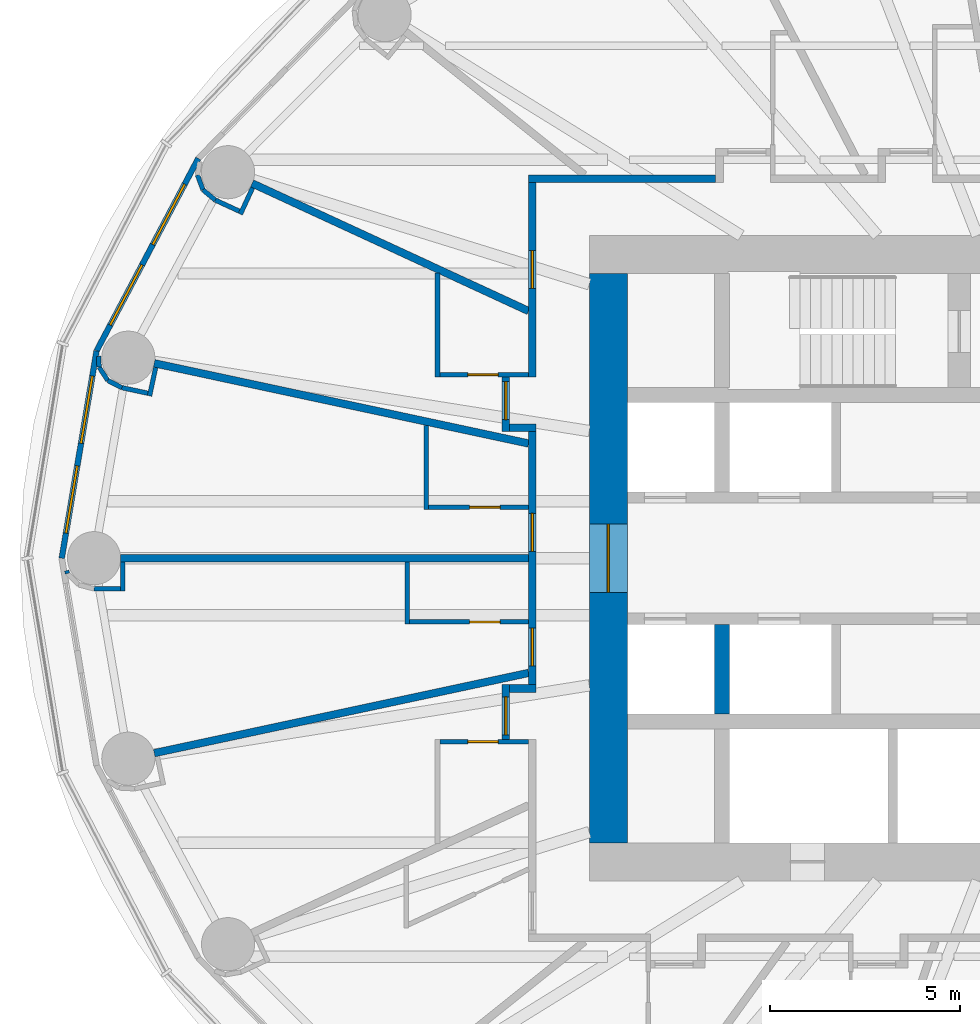
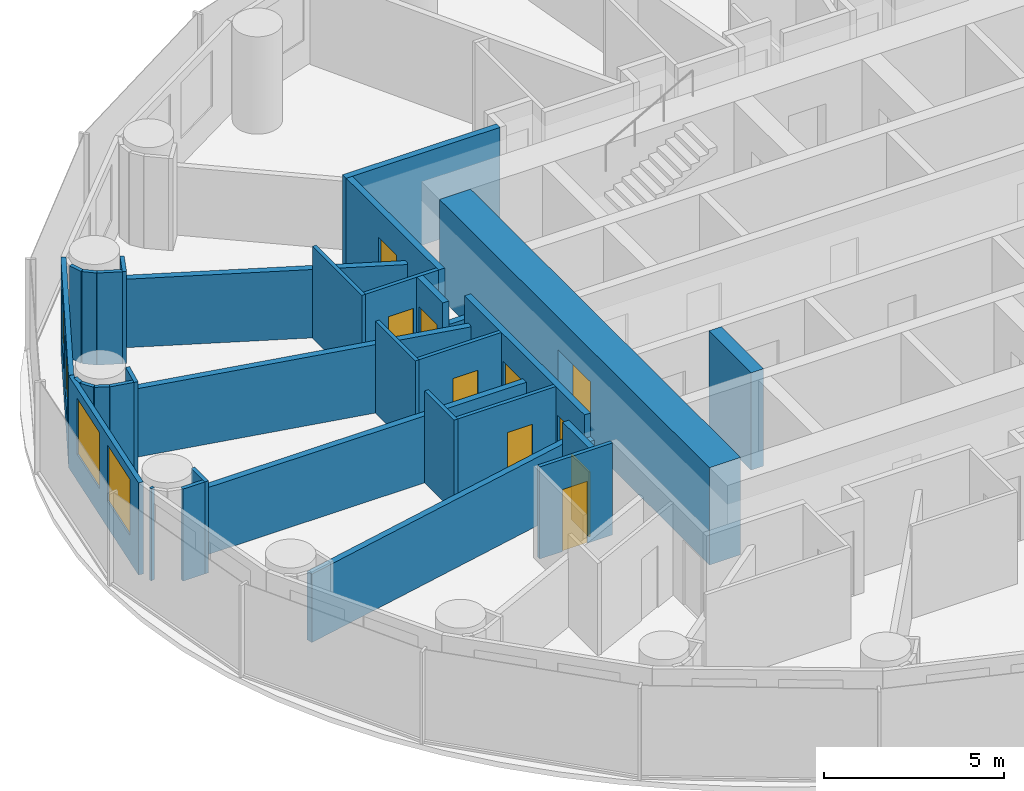
# One storey, part 8 of 14: 34 walls, 10 doors, 4 windows, 14 openings.
"""IFC4 building model written with IfcOpenShell, lengths in metres."""

from ifc_helpers import new_model, si_unit, direction, frame, frame_2d, origin, place, context, subcontext, project, spatial, rectangle, extrude, material, layer, layer_set, type_object, element, fill, save


model = new_model("IFC4")

# Units and contexts
model_context = context("Model", 3, precision=1e-05, world=origin(), true_north=direction((0.0, 1.0)))
body_context = subcontext(model_context, "Body", "Model", "MODEL_VIEW")
ifc_project = project(units=[si_unit("LENGTHUNIT", "METRE"), si_unit("AREAUNIT", "SQUARE_METRE"), si_unit("VOLUMEUNIT", "CUBIC_METRE"), si_unit("PLANEANGLEUNIT", "RADIAN"), si_unit("MASSUNIT", "GRAM", prefix="KILO")], contexts=[model_context])

# Site, building, storey
site_placement = place(None, origin())
site = spatial("IfcSite", under=ifc_project, at=site_placement, CompositionType="ELEMENT")
building_placement = place(site_placement, origin())
building = spatial("IfcBuilding", under=site, at=building_placement, Name="Hankou Lantern Tower", CompositionType="ELEMENT")
storey_placement = place(building_placement, frame((0.0, 0.0, 50.699951171875)))
storey = spatial("IfcBuildingStorey", under=building, at=storey_placement, Name="L11", CompositionType="ELEMENT", Elevation=50.699951171875)

# Wall, opening, door
ifc_material_1 = material(Name="Concrete C60", Category="concrete")
ifc_layer_1 = layer(ifc_material_1, 1.0)
ifc_layer_set_1 = layer_set([ifc_layer_1], Name="Concrete C60")
wall_type_1 = type_object("IfcWallType", Name="CW1 CORE WALL 1000", PredefinedType="SHEAR", material=ifc_layer_set_1)
wall_1_placement = place(storey_placement, frame((-12.0, 7.5, 0.0), z_axis=(0.0, 0.0, 1.0), x_axis=(0.0, -1.0, 0.0)))
wall_1 = element("IfcWall", 1, at=wall_1_placement, inside=storey, type_object=wall_type_1, Name="Core wall west L11", PredefinedType="SHEAR", context=body_context, shape_type="SweptSolid", body=[
    extrude(rectangle(XDim=15.0, YDim=1.0, at=frame_2d((7.5, 0.0))), origin(), (0.0, 0.0, 1.0), 3.300048828125),
])
opening_1_placement = place(wall_1_placement, frame((6.60009765625, 0.0, 0.0)))
opening_1 = element("IfcOpeningElement", 2, at=opening_1_placement, cuts=wall_1, Name="Opening D6", PredefinedType="OPENING", context=body_context, shape_type="SweptSolid", body=[
    extrude(rectangle(XDim=1.800048828125, YDim=2.199951171875, at=frame_2d((0.89990234375, 1.10009765625))), frame((0.0, 0.510009765625, 0.0), z_axis=(0.0, -1.0, 0.0), x_axis=(1.0, 0.0, 0.0)), (0.0, 0.0, 1.0), 1.02001953125),
])
ifc_material_2 = material(Name="Steel door leaf", Category="steel")
door_type_1 = type_object("IfcDoorType", Name="D6 LIFT LOBBY DOOR 1800X2200", OperationType="DOUBLE_DOOR_DOUBLE_SWING", PredefinedType="DOOR", material=ifc_material_2)
door_1_placement = place(opening_1_placement, origin())
door_1 = element("IfcDoor", 3, at=door_1_placement, inside=storey, type_object=door_type_1, Name="Lift lobby west door", OperationType="DOUBLE_DOOR_DOUBLE_SWING", OverallHeight=2.199951171875, OverallWidth=1.800048828125, PredefinedType="DOOR", context=body_context, shape_type="SweptSolid", body=[
    extrude(rectangle(XDim=1.800048828125, YDim=2.199951171875, at=frame_2d((0.89990234375, 1.10009765625))), frame((0.0, 0.02490234375, 0.0), z_axis=(0.0, -1.0, 0.0), x_axis=(1.0, 0.0, 0.0)), (0.0, 0.0, 1.0), 0.050048828125),
])
fill(opening_1, door_1)

# Wall
ifc_material_3 = material(Name="Concrete C60", Category="concrete")
ifc_layer_2 = layer(ifc_material_3, 0.39990234375)
ifc_layer_set_2 = layer_set([ifc_layer_2], Name="Concrete C60")
wall_type_2 = type_object("IfcWallType", Name="CW4 CORE CROSS WALL 400", PredefinedType="SHEAR", material=ifc_layer_set_2)
wall_2_placement = place(storey_placement, frame((-9.0, -4.10009765625, 0.0), z_axis=(0.0, 0.0, 1.0), x_axis=(0.0, 1.0, 0.0)))
element("IfcWall", 4, at=wall_2_placement, inside=storey, type_object=wall_type_2, Name="Core strip wall L11", PredefinedType="SHEAR", context=body_context, shape_type="SweptSolid", body=[
    extrude(rectangle(XDim=2.35009765625, YDim=0.39990234375, at=frame_2d((1.175048828125, 0.0))), origin(), (0.0, 0.0, 1.0), 3.300048828125),
])

# Wall, openings, windows
ifc_material_4 = material(Name="Aluminium spandrel panel on steel studs", Category="steel")
ifc_layer_3 = layer(ifc_material_4, 0.14990234375)
ifc_layer_set_3 = layer_set([ifc_layer_3], Name="Aluminium spandrel panel on steel studs")
wall_type_3 = type_object("IfcWallType", Name="EW1 INNER SKIN WALL 150", PredefinedType="ELEMENTEDWALL", material=ifc_layer_set_3)
wall_3_placement = place(storey_placement, frame((-22.802734375, 10.5322265625, 0.0), z_axis=(0.0, 0.0, 1.0), x_axis=(-0.467296867008, -0.884100468321, 0.0)))
wall_3 = element("IfcWall", 5, at=wall_3_placement, inside=storey, type_object=wall_type_3, Name="Inner skin R11-R12 L11", PredefinedType="ELEMENTEDWALL", context=body_context, shape_type="SweptSolid", body=[
    extrude(rectangle(XDim=5.734375, YDim=0.14990234375, at=frame_2d((2.8671875, 0.0))), origin(), (0.0, 0.0, 1.0), 3.1201171875),
])
opening_2_placement = place(wall_3_placement, frame((0.76708984375, 0.0, 0.89990234375)))
opening_2 = element("IfcOpeningElement", 6, at=opening_2_placement, cuts=wall_3, Name="Opening W1", PredefinedType="OPENING", context=body_context, shape_type="SweptSolid", body=[
    extrude(rectangle(XDim=1.800048828125, YDim=1.89990234375, at=frame_2d((0.89990234375, 0.949951171875))), frame((0.0, 0.0849609375, 0.0), z_axis=(0.0, -1.0, 0.0), x_axis=(1.0, 0.0, 0.0)), (0.0, 0.0, 1.0), 0.169921875),
])
opening_3_placement = place(wall_3_placement, frame((3.167236328125, 0.0, 0.89990234375)))
opening_3 = element("IfcOpeningElement", 7, at=opening_3_placement, cuts=wall_3, Name="Opening W1", PredefinedType="OPENING", context=body_context, shape_type="SweptSolid", body=[
    extrude(rectangle(XDim=1.800048828125, YDim=1.89990234375, at=frame_2d((0.89990234375, 0.949951171875))), frame((0.0, 0.0849609375, 0.0), z_axis=(0.0, -1.0, 0.0), x_axis=(1.0, 0.0, 0.0)), (0.0, 0.0, 1.0), 0.169921875),
])
ifc_material_5 = material(Name="Aluminium framed double glazed window", Category="aluminium")
window_type = type_object("IfcWindowType", Name="W1 GUEST ROOM WINDOW 1800X1900", PartitioningType="DOUBLE_PANEL_VERTICAL", PredefinedType="WINDOW", material=ifc_material_5)
window_1_placement = place(opening_2_placement, origin())
window_1 = element("IfcWindow", 8, at=window_1_placement, inside=storey, type_object=window_type, Name="Window R11.1 L11", OverallHeight=1.89990234375, OverallWidth=1.800048828125, PartitioningType="SINGLE_PANEL", PredefinedType="WINDOW", context=body_context, shape_type="SweptSolid", body=[
    extrude(rectangle(XDim=1.800048828125, YDim=1.89990234375, at=frame_2d((0.89990234375, 0.949951171875))), frame((0.0, 0.030029296875, 0.0), z_axis=(0.0, -1.0, 0.0), x_axis=(1.0, 0.0, 0.0)), (0.0, 0.0, 1.0), 0.06005859375),
])
fill(opening_2, window_1)
window_2_placement = place(opening_3_placement, origin())
window_2 = element("IfcWindow", 9, at=window_2_placement, inside=storey, type_object=window_type, Name="Window R11.2 L11", OverallHeight=1.89990234375, OverallWidth=1.800048828125, PartitioningType="SINGLE_PANEL", PredefinedType="WINDOW", context=body_context, shape_type="SweptSolid", body=[
    extrude(rectangle(XDim=1.800048828125, YDim=1.89990234375, at=frame_2d((0.89990234375, 0.949951171875))), frame((0.0, 0.030029296875, 0.0), z_axis=(0.0, -1.0, 0.0), x_axis=(1.0, 0.0, 0.0)), (0.0, 0.0, 1.0), 0.06005859375),
])
fill(opening_3, window_2)

wall_4_placement = place(storey_placement, frame((-25.482421875, 5.46240234375, 0.0), z_axis=(0.0, 0.0, 1.0), x_axis=(-0.165642551694, -0.986185857264, 0.0)))
wall_4 = element("IfcWall", 10, at=wall_4_placement, inside=storey, type_object=wall_type_3, Name="Inner skin R12-R13 L11", PredefinedType="ELEMENTEDWALL", context=body_context, shape_type="SweptSolid", body=[
    extrude(rectangle(XDim=5.538818359375, YDim=0.14990234375, at=frame_2d((2.76953125, 0.0))), origin(), (0.0, 0.0, 1.0), 3.1201171875),
])
opening_4_placement = place(wall_4_placement, frame((0.66943359375, 0.0, 0.89990234375)))
opening_4 = element("IfcOpeningElement", 11, at=opening_4_placement, cuts=wall_4, Name="Opening W1", PredefinedType="OPENING", context=body_context, shape_type="SweptSolid", body=[
    extrude(rectangle(XDim=1.800048828125, YDim=1.89990234375, at=frame_2d((0.89990234375, 0.949951171875))), frame((0.0, 0.0849609375, 0.0), z_axis=(0.0, -1.0, 0.0), x_axis=(1.0, 0.0, 0.0)), (0.0, 0.0, 1.0), 0.169921875),
])
opening_5_placement = place(wall_4_placement, frame((3.069580078125, 0.0, 0.89990234375)))
opening_5 = element("IfcOpeningElement", 12, at=opening_5_placement, cuts=wall_4, Name="Opening W1", PredefinedType="OPENING", context=body_context, shape_type="SweptSolid", body=[
    extrude(rectangle(XDim=1.800048828125, YDim=1.89990234375, at=frame_2d((0.89990234375, 0.949951171875))), frame((0.0, 0.0849609375, 0.0), z_axis=(0.0, -1.0, 0.0), x_axis=(1.0, 0.0, 0.0)), (0.0, 0.0, 1.0), 0.169921875),
])
window_3_placement = place(opening_4_placement, origin())
window_3 = element("IfcWindow", 13, at=window_3_placement, inside=storey, type_object=window_type, Name="Window R12.1 L11", OverallHeight=1.89990234375, OverallWidth=1.800048828125, PartitioningType="SINGLE_PANEL", PredefinedType="WINDOW", context=body_context, shape_type="SweptSolid", body=[
    extrude(rectangle(XDim=1.800048828125, YDim=1.89990234375, at=frame_2d((0.89990234375, 0.949951171875))), frame((0.0, 0.030029296875, 0.0), z_axis=(0.0, -1.0, 0.0), x_axis=(1.0, 0.0, 0.0)), (0.0, 0.0, 1.0), 0.06005859375),
])
fill(opening_4, window_3)
window_4_placement = place(opening_5_placement, origin())
window_4 = element("IfcWindow", 14, at=window_4_placement, inside=storey, type_object=window_type, Name="Window R12.2 L11", OverallHeight=1.89990234375, OverallWidth=1.800048828125, PartitioningType="SINGLE_PANEL", PredefinedType="WINDOW", context=body_context, shape_type="SweptSolid", body=[
    extrude(rectangle(XDim=1.800048828125, YDim=1.89990234375, at=frame_2d((0.89990234375, 0.949951171875))), frame((0.0, 0.030029296875, 0.0), z_axis=(0.0, -1.0, 0.0), x_axis=(1.0, 0.0, 0.0)), (0.0, 0.0, 1.0), 0.06005859375),
])
fill(opening_5, window_4)

# Walls
ifc_material_6 = material(Name="Masonry lightweight concrete block", Category="masonry")
ifc_layer_4 = layer(ifc_material_6, 0.199951171875)
ifc_layer_set_4 = layer_set([ifc_layer_4], Name="Masonry lightweight concrete block")
wall_type_4 = type_object("IfcWallType", Name="IW1 GUEST ROOM PARTY WALL 200", PredefinedType="PARTITIONING", material=ifc_layer_set_4)
wall_5_placement = place(storey_placement, frame((-14.10009765625, 3.0224609375, 0.0), z_axis=(0.0, 0.0, 1.0), x_axis=(-0.977790014929, 0.209586943072, 0.0)))
element("IfcWall", 15, at=wall_5_placement, inside=storey, type_object=wall_type_4, Name="Party wall R12", PredefinedType="PARTITIONING", context=body_context, shape_type="SweptSolid", body=[
    extrude(rectangle(XDim=10.086669921875, YDim=0.199951171875, at=frame_2d((5.04345703125, 0.0))), origin(), (0.0, 0.0, 1.0), 2.320068359375),
])
wall_6_placement = place(storey_placement, frame((-14.10009765625, 0.0, 0.0), z_axis=(0.0, 0.0, 1.0), x_axis=(-1.0, 0.0, 0.0)))
element("IfcWall", 16, at=wall_6_placement, inside=storey, type_object=wall_type_4, Name="Party wall R13", PredefinedType="PARTITIONING", context=body_context, shape_type="SweptSolid", body=[
    extrude(rectangle(XDim=10.75, YDim=0.199951171875, at=frame_2d((5.375, 0.0))), origin(), (0.0, 0.0, 1.0), 2.27001953125),
])
wall_7_placement = place(storey_placement, frame((-14.10009765625, -3.0224609375, 0.0), z_axis=(0.0, 0.0, 1.0), x_axis=(-0.977790014929, -0.209586943072, 0.0)))
element("IfcWall", 17, at=wall_7_placement, inside=storey, type_object=wall_type_4, Name="Party wall R14", PredefinedType="PARTITIONING", context=body_context, shape_type="SweptSolid", body=[
    extrude(rectangle(XDim=10.086669921875, YDim=0.199951171875, at=frame_2d((5.04345703125, 0.0))), origin(), (0.0, 0.0, 1.0), 2.320068359375),
])

# Wall, opening, door
ifc_material_7 = material(Name="Masonry lightweight concrete block", Category="masonry")
ifc_layer_5 = layer(ifc_material_7, 0.199951171875)
ifc_layer_set_5 = layer_set([ifc_layer_5], Name="Masonry lightweight concrete block")
wall_type_5 = type_object("IfcWallType", Name="IW2 CORRIDOR WALL 200", PredefinedType="PARTITIONING", material=ifc_layer_set_5)
wall_8_placement = place(storey_placement, frame((-14.699951171875, 4.7724609375, 0.0), z_axis=(0.0, 0.0, 1.0), x_axis=(0.0, -1.0, 0.0)))
wall_8 = element("IfcWall", 18, at=wall_8_placement, inside=storey, type_object=wall_type_5, Name="Corridor recess wall 1107 back", PredefinedType="PARTITIONING", context=body_context, shape_type="SweptSolid", body=[
    extrude(rectangle(XDim=1.43994140625, YDim=0.199951171875, at=frame_2d((0.719970703125, 0.0))), origin(), (0.0, 0.0, 1.0), 3.1201171875),
])
opening_6_placement = place(wall_8_placement, frame((0.1201171875, 0.0, 0.0)))
opening_6 = element("IfcOpeningElement", 19, at=opening_6_placement, cuts=wall_8, Name="Opening D1", PredefinedType="OPENING", context=body_context, shape_type="SweptSolid", body=[
    extrude(rectangle(XDim=1.0, YDim=2.199951171875, at=frame_2d((0.5, 1.10009765625))), frame((0.0, 0.10986328125, 0.0), z_axis=(0.0, -1.0, 0.0), x_axis=(1.0, 0.0, 0.0)), (0.0, 0.0, 1.0), 0.219970703125),
])
ifc_material_8 = material(Name="Steel door leaf", Category="steel")
door_type_2 = type_object("IfcDoorType", Name="D1 GUEST ROOM DOOR 1000X2200", OperationType="SINGLE_SWING_LEFT", PredefinedType="DOOR", material=ifc_material_8)
door_2_placement = place(opening_6_placement, origin())
door_2 = element("IfcDoor", 20, at=door_2_placement, inside=storey, type_object=door_type_2, Name="Guest room door 1107", OperationType="SINGLE_SWING_LEFT", OverallHeight=2.199951171875, OverallWidth=1.0, PredefinedType="DOOR", context=body_context, shape_type="SweptSolid", body=[
    extrude(rectangle(XDim=1.0, YDim=2.199951171875, at=frame_2d((0.5, 1.10009765625))), frame((0.0, 0.02490234375, 0.0), z_axis=(0.0, -1.0, 0.0), x_axis=(1.0, 0.0, 0.0)), (0.0, 0.0, 1.0), 0.050048828125),
])
fill(opening_6, door_2)

# Wall
wall_9_placement = place(storey_placement, frame((-13.89990234375, 3.4326171875, 0.0), z_axis=(0.0, 0.0, 1.0), x_axis=(-1.0, 0.0, 0.0)))
element("IfcWall", 21, at=wall_9_placement, inside=storey, type_object=wall_type_5, Name="Corridor recess wall 1107 side", PredefinedType="PARTITIONING", context=body_context, shape_type="SweptSolid", body=[
    extrude(rectangle(XDim=0.7001953125, YDim=0.199951171875, at=frame_2d((0.35009765625, 0.0))), origin(), (0.0, 0.0, 1.0), 2.320068359375),
])

# Wall, opening, door
wall_10_placement = place(storey_placement, frame((-14.699951171875, -3.33251953125, 0.0), z_axis=(0.0, 0.0, 1.0), x_axis=(0.0, -1.0, 0.0)))
wall_10 = element("IfcWall", 22, at=wall_10_placement, inside=storey, type_object=wall_type_5, Name="Corridor recess wall 1110 back", PredefinedType="PARTITIONING", context=body_context, shape_type="SweptSolid", body=[
    extrude(rectangle(XDim=1.43994140625, YDim=0.199951171875, at=frame_2d((0.719970703125, 0.0))), origin(), (0.0, 0.0, 1.0), 3.1201171875),
])
opening_7_placement = place(wall_10_placement, frame((0.320068359375, 0.0, 0.0)))
opening_7 = element("IfcOpeningElement", 23, at=opening_7_placement, cuts=wall_10, Name="Opening D1", PredefinedType="OPENING", context=body_context, shape_type="SweptSolid", body=[
    extrude(rectangle(XDim=1.0, YDim=2.199951171875, at=frame_2d((0.5, 1.10009765625))), frame((0.0, 0.10986328125, 0.0), z_axis=(0.0, -1.0, 0.0), x_axis=(1.0, 0.0, 0.0)), (0.0, 0.0, 1.0), 0.219970703125),
])
door_3_placement = place(opening_7_placement, origin())
door_3 = element("IfcDoor", 24, at=door_3_placement, inside=storey, type_object=door_type_2, Name="Guest room door 1110", OperationType="SINGLE_SWING_RIGHT", OverallHeight=2.199951171875, OverallWidth=1.0, PredefinedType="DOOR", context=body_context, shape_type="SweptSolid", body=[
    extrude(rectangle(XDim=1.0, YDim=2.199951171875, at=frame_2d((0.5, 1.10009765625))), frame((0.0, 0.02490234375, 0.0), z_axis=(0.0, -1.0, 0.0), x_axis=(1.0, 0.0, 0.0)), (0.0, 0.0, 1.0), 0.050048828125),
])
fill(opening_7, door_3)

# Walls
wall_11_placement = place(storey_placement, frame((-13.89990234375, -3.4326171875, 0.0), z_axis=(0.0, 0.0, 1.0), x_axis=(-1.0, 0.0, 0.0)))
element("IfcWall", 25, at=wall_11_placement, inside=storey, type_object=wall_type_5, Name="Corridor recess wall 1110 side", PredefinedType="PARTITIONING", context=body_context, shape_type="SweptSolid", body=[
    extrude(rectangle(XDim=0.7001953125, YDim=0.199951171875, at=frame_2d((0.35009765625, 0.0))), origin(), (0.0, 0.0, 1.0), 2.320068359375),
])
wall_12_placement = place(storey_placement, frame((-14.10009765625, 10.0, 0.0), z_axis=(0.0, 0.0, 1.0), x_axis=(1.0, 0.0, 0.0)))
element("IfcWall", 26, at=wall_12_placement, inside=storey, type_object=wall_type_5, Name="Corridor wall north", PredefinedType="PARTITIONING", context=body_context, shape_type="SweptSolid", body=[
    extrude(rectangle(XDim=4.931396484375, YDim=0.199951171875, at=frame_2d((2.4658203125, 0.0))), origin(), (0.0, 0.0, 1.0), 3.1201171875),
])

# Wall, opening, door
wall_13_placement = place(storey_placement, frame((-14.0, 9.89990234375, 0.0), z_axis=(0.0, 0.0, 1.0), x_axis=(0.0, -1.0, 0.0)))
wall_13 = element("IfcWall", 27, at=wall_13_placement, inside=storey, type_object=wall_type_5, Name="Corridor wall west", PredefinedType="PARTITIONING", context=body_context, shape_type="SweptSolid", body=[
    extrude(rectangle(XDim=5.12744140625, YDim=0.199951171875, at=frame_2d((2.563720703125, 0.0))), origin(), (0.0, 0.0, 1.0), 3.1201171875),
])
opening_8_placement = place(wall_13_placement, frame((1.79248046875, 0.0, 0.0)))
opening_8 = element("IfcOpeningElement", 28, at=opening_8_placement, cuts=wall_13, Name="Opening D28", PredefinedType="OPENING", context=body_context, shape_type="SweptSolid", body=[
    extrude(rectangle(XDim=1.0, YDim=2.199951171875, at=frame_2d((0.5, 1.10009765625))), frame((0.0, 0.10986328125, 0.0), z_axis=(0.0, -1.0, 0.0), x_axis=(1.0, 0.0, 0.0)), (0.0, 0.0, 1.0), 0.219970703125),
])
ifc_material_9 = material(Name="Steel door leaf", Category="steel")
door_type_3 = type_object("IfcDoorType", Name="D28 SERVICE DOOR 1000X2200", OperationType="SINGLE_SWING_LEFT", PredefinedType="DOOR", material=ifc_material_9)
door_4_placement = place(opening_8_placement, origin())
door_4 = element("IfcDoor", 29, at=door_4_placement, inside=storey, type_object=door_type_3, Name="Service door 1106", OperationType="SINGLE_SWING_LEFT", OverallHeight=2.199951171875, OverallWidth=1.0, PredefinedType="DOOR", context=body_context, shape_type="SweptSolid", body=[
    extrude(rectangle(XDim=1.0, YDim=2.199951171875, at=frame_2d((0.5, 1.10009765625))), frame((0.0, 0.02490234375, 0.0), z_axis=(0.0, -1.0, 0.0), x_axis=(1.0, 0.0, 0.0)), (0.0, 0.0, 1.0), 0.050048828125),
])
fill(opening_8, door_4)

# Wall, openings, doors
wall_14_placement = place(storey_placement, frame((-14.0, 3.33251953125, 0.0), z_axis=(0.0, 0.0, 1.0), x_axis=(0.0, -1.0, 0.0)))
wall_14 = element("IfcWall", 30, at=wall_14_placement, inside=storey, type_object=wall_type_5, Name="Corridor wall west", PredefinedType="PARTITIONING", context=body_context, shape_type="SweptSolid", body=[
    extrude(rectangle(XDim=6.6650390625, YDim=0.199951171875, at=frame_2d((3.33251953125, 0.0))), origin(), (0.0, 0.0, 1.0), 3.1201171875),
])
opening_9_placement = place(wall_14_placement, frame((2.14990234375, 0.0, 0.0)))
opening_9 = element("IfcOpeningElement", 31, at=opening_9_placement, cuts=wall_14, Name="Opening D1", PredefinedType="OPENING", context=body_context, shape_type="SweptSolid", body=[
    extrude(rectangle(XDim=1.0, YDim=2.199951171875, at=frame_2d((0.5, 1.10009765625))), frame((0.0, 0.10986328125, 0.0), z_axis=(0.0, -1.0, 0.0), x_axis=(1.0, 0.0, 0.0)), (0.0, 0.0, 1.0), 0.219970703125),
])
opening_10_placement = place(wall_14_placement, frame((5.172607421875, 0.0, 0.0)))
opening_10 = element("IfcOpeningElement", 32, at=opening_10_placement, cuts=wall_14, Name="Opening D1", PredefinedType="OPENING", context=body_context, shape_type="SweptSolid", body=[
    extrude(rectangle(XDim=1.0, YDim=2.199951171875, at=frame_2d((0.5, 1.10009765625))), frame((0.0, 0.10986328125, 0.0), z_axis=(0.0, -1.0, 0.0), x_axis=(1.0, 0.0, 0.0)), (0.0, 0.0, 1.0), 0.219970703125),
])
door_5_placement = place(opening_9_placement, origin())
door_5 = element("IfcDoor", 33, at=door_5_placement, inside=storey, type_object=door_type_2, Name="Guest room door 1108", OperationType="SINGLE_SWING_LEFT", OverallHeight=2.199951171875, OverallWidth=1.0, PredefinedType="DOOR", context=body_context, shape_type="SweptSolid", body=[
    extrude(rectangle(XDim=1.0, YDim=2.199951171875, at=frame_2d((0.5, 1.10009765625))), frame((0.0, 0.02490234375, 0.0), z_axis=(0.0, -1.0, 0.0), x_axis=(1.0, 0.0, 0.0)), (0.0, 0.0, 1.0), 0.050048828125),
])
fill(opening_9, door_5)
door_6_placement = place(opening_10_placement, origin())
door_6 = element("IfcDoor", 34, at=door_6_placement, inside=storey, type_object=door_type_2, Name="Guest room door 1109", OperationType="SINGLE_SWING_RIGHT", OverallHeight=2.199951171875, OverallWidth=1.0, PredefinedType="DOOR", context=body_context, shape_type="SweptSolid", body=[
    extrude(rectangle(XDim=1.0, YDim=2.199951171875, at=frame_2d((0.5, 1.10009765625))), frame((0.0, 0.02490234375, 0.0), z_axis=(0.0, -1.0, 0.0), x_axis=(1.0, 0.0, 0.0)), (0.0, 0.0, 1.0), 0.050048828125),
])
fill(opening_10, door_6)

# Wall
ifc_material_10 = material(Name="Masonry lightweight concrete block", Category="masonry")
ifc_layer_6 = layer(ifc_material_10, 0.1201171875)
ifc_layer_set_6 = layer_set([ifc_layer_6], Name="Masonry lightweight concrete block")
wall_type_6 = type_object("IfcWallType", Name="IW3 BATHROOM WALL 120", PredefinedType="PARTITIONING", material=ifc_layer_set_6)
wall_15_placement = place(storey_placement, frame((-16.5, 7.52099609375, 0.0), z_axis=(0.0, 0.0, 1.0), x_axis=(0.0, -1.0, 0.0)))
element("IfcWall", 35, at=wall_15_placement, inside=storey, type_object=wall_type_6, Name="Box wall 1107 1", PredefinedType="PARTITIONING", context=body_context, shape_type="SweptSolid", body=[
    extrude(rectangle(XDim=2.74853515625, YDim=0.1201171875, at=frame_2d((1.374267578125, 0.0))), origin(), (0.0, 0.0, 1.0), 3.1201171875),
])

# Wall, opening, door
wall_16_placement = place(storey_placement, frame((-14.10009765625, 4.83251953125, 0.0), z_axis=(0.0, 0.0, 1.0), x_axis=(-1.0, 0.0, 0.0)))
wall_16 = element("IfcWall", 36, at=wall_16_placement, inside=storey, type_object=wall_type_6, Name="Box wall 1107 1", PredefinedType="PARTITIONING", context=body_context, shape_type="SweptSolid", body=[
    extrude(rectangle(XDim=2.33984375, YDim=0.1201171875, at=frame_2d((1.169921875, 0.0))), origin(), (0.0, 0.0, 1.0), 3.1201171875),
])
opening_11_placement = place(wall_16_placement, frame((0.800048828125, 0.0, 0.0)))
opening_11 = element("IfcOpeningElement", 37, at=opening_11_placement, cuts=wall_16, Name="Opening D3", PredefinedType="OPENING", context=body_context, shape_type="SweptSolid", body=[
    extrude(rectangle(XDim=0.800048828125, YDim=2.10009765625, at=frame_2d((0.39990234375, 1.050048828125))), frame((0.0, 0.070068359375, 0.0), z_axis=(0.0, -1.0, 0.0), x_axis=(1.0, 0.0, 0.0)), (0.0, 0.0, 1.0), 0.14013671875),
])
ifc_material_11 = material(Name="Timber door leaf", Category="wood")
door_type_4 = type_object("IfcDoorType", Name="D3 BATHROOM DOOR 800X2100", OperationType="SINGLE_SWING_LEFT", PredefinedType="DOOR", material=ifc_material_11)
door_7_placement = place(opening_11_placement, origin())
door_7 = element("IfcDoor", 38, at=door_7_placement, inside=storey, type_object=door_type_4, Name="En-suite bathroom 1107 door", OperationType="SINGLE_SWING_LEFT", OverallHeight=2.10009765625, OverallWidth=0.800048828125, PredefinedType="DOOR", context=body_context, shape_type="SweptSolid", body=[
    extrude(rectangle(XDim=0.800048828125, YDim=2.10009765625, at=frame_2d((0.39990234375, 1.050048828125))), frame((0.0, 0.02490234375, 0.0), z_axis=(0.0, -1.0, 0.0), x_axis=(1.0, 0.0, 0.0)), (0.0, 0.0, 1.0), 0.050048828125),
])
fill(opening_11, door_7)

# Wall
wall_17_placement = place(storey_placement, frame((-16.800048828125, 3.501220703125, 0.0), z_axis=(0.0, 0.0, 1.0), x_axis=(0.0, -1.0, 0.0)))
element("IfcWall", 39, at=wall_17_placement, inside=storey, type_object=wall_type_6, Name="Box wall 1108 1", PredefinedType="PARTITIONING", context=body_context, shape_type="SweptSolid", body=[
    extrude(rectangle(XDim=2.21875, YDim=0.1201171875, at=frame_2d((1.109375, 0.0))), origin(), (0.0, 0.0, 1.0), 3.1201171875),
])

# Wall, opening, door
wall_18_placement = place(storey_placement, frame((-14.10009765625, 1.342529296875, 0.0), z_axis=(0.0, 0.0, 1.0), x_axis=(-1.0, 0.0, 0.0)))
wall_18 = element("IfcWall", 40, at=wall_18_placement, inside=storey, type_object=wall_type_6, Name="Box wall 1108 1", PredefinedType="PARTITIONING", context=body_context, shape_type="SweptSolid", body=[
    extrude(rectangle(XDim=2.639892578125, YDim=0.1201171875, at=frame_2d((1.31982421875, 0.0))), origin(), (0.0, 0.0, 1.0), 3.1201171875),
])
opening_12_placement = place(wall_18_placement, frame((0.75, 0.0, 0.0)))
opening_12 = element("IfcOpeningElement", 41, at=opening_12_placement, cuts=wall_18, Name="Opening D3", PredefinedType="OPENING", context=body_context, shape_type="SweptSolid", body=[
    extrude(rectangle(XDim=0.800048828125, YDim=2.10009765625, at=frame_2d((0.39990234375, 1.050048828125))), frame((0.0, 0.070068359375, 0.0), z_axis=(0.0, -1.0, 0.0), x_axis=(1.0, 0.0, 0.0)), (0.0, 0.0, 1.0), 0.14013671875),
])
door_8_placement = place(opening_12_placement, origin())
door_8 = element("IfcDoor", 42, at=door_8_placement, inside=storey, type_object=door_type_4, Name="En-suite bathroom 1108 door", OperationType="SINGLE_SWING_LEFT", OverallHeight=2.10009765625, OverallWidth=0.800048828125, PredefinedType="DOOR", context=body_context, shape_type="SweptSolid", body=[
    extrude(rectangle(XDim=0.800048828125, YDim=2.10009765625, at=frame_2d((0.39990234375, 1.050048828125))), frame((0.0, 0.02490234375, 0.0), z_axis=(0.0, -1.0, 0.0), x_axis=(1.0, 0.0, 0.0)), (0.0, 0.0, 1.0), 0.050048828125),
])
fill(opening_12, door_8)

# Wall
wall_19_placement = place(storey_placement, frame((-17.300048828125, -0.10009765625, 0.0), z_axis=(0.0, 0.0, 1.0), x_axis=(0.0, -1.0, 0.0)))
element("IfcWall", 43, at=wall_19_placement, inside=storey, type_object=wall_type_6, Name="Box wall 1109 1", PredefinedType="PARTITIONING", context=body_context, shape_type="SweptSolid", body=[
    extrude(rectangle(XDim=1.639892578125, YDim=0.1201171875, at=frame_2d((0.81982421875, 0.0))), origin(), (0.0, 0.0, 1.0), 3.1201171875),
])

# Wall, opening, door
wall_20_placement = place(storey_placement, frame((-14.10009765625, -1.679931640625, 0.0), z_axis=(0.0, 0.0, 1.0), x_axis=(-1.0, 0.0, 0.0)))
wall_20 = element("IfcWall", 44, at=wall_20_placement, inside=storey, type_object=wall_type_6, Name="Box wall 1109 1", PredefinedType="PARTITIONING", context=body_context, shape_type="SweptSolid", body=[
    extrude(rectangle(XDim=3.139892578125, YDim=0.1201171875, at=frame_2d((1.56982421875, 0.0))), origin(), (0.0, 0.0, 1.0), 3.1201171875),
])
opening_13_placement = place(wall_20_placement, frame((0.75, 0.0, 0.0)))
opening_13 = element("IfcOpeningElement", 45, at=opening_13_placement, cuts=wall_20, Name="Opening D3", PredefinedType="OPENING", context=body_context, shape_type="SweptSolid", body=[
    extrude(rectangle(XDim=0.800048828125, YDim=2.10009765625, at=frame_2d((0.39990234375, 1.050048828125))), frame((0.0, 0.070068359375, 0.0), z_axis=(0.0, -1.0, 0.0), x_axis=(1.0, 0.0, 0.0)), (0.0, 0.0, 1.0), 0.14013671875),
])
door_9_placement = place(opening_13_placement, origin())
door_9 = element("IfcDoor", 46, at=door_9_placement, inside=storey, type_object=door_type_4, Name="En-suite bathroom 1109 door", OperationType="SINGLE_SWING_LEFT", OverallHeight=2.10009765625, OverallWidth=0.800048828125, PredefinedType="DOOR", context=body_context, shape_type="SweptSolid", body=[
    extrude(rectangle(XDim=0.800048828125, YDim=2.10009765625, at=frame_2d((0.39990234375, 1.050048828125))), frame((0.0, 0.02490234375, 0.0), z_axis=(0.0, -1.0, 0.0), x_axis=(1.0, 0.0, 0.0)), (0.0, 0.0, 1.0), 0.050048828125),
])
fill(opening_13, door_9)

wall_21_placement = place(storey_placement, frame((-14.10009765625, -4.83251953125, 0.0), z_axis=(0.0, 0.0, 1.0), x_axis=(-1.0, 0.0, 0.0)))
wall_21 = element("IfcWall", 47, at=wall_21_placement, inside=storey, type_object=wall_type_6, Name="Box wall 1110 1", PredefinedType="PARTITIONING", context=body_context, shape_type="SweptSolid", body=[
    extrude(rectangle(XDim=2.33984375, YDim=0.1201171875, at=frame_2d((1.169921875, 0.0))), origin(), (0.0, 0.0, 1.0), 3.1201171875),
])
opening_14_placement = place(wall_21_placement, frame((0.800048828125, 0.0, 0.0)))
opening_14 = element("IfcOpeningElement", 48, at=opening_14_placement, cuts=wall_21, Name="Opening D3", PredefinedType="OPENING", context=body_context, shape_type="SweptSolid", body=[
    extrude(rectangle(XDim=0.800048828125, YDim=2.10009765625, at=frame_2d((0.39990234375, 1.050048828125))), frame((0.0, 0.070068359375, 0.0), z_axis=(0.0, -1.0, 0.0), x_axis=(1.0, 0.0, 0.0)), (0.0, 0.0, 1.0), 0.14013671875),
])
door_10_placement = place(opening_14_placement, origin())
door_10 = element("IfcDoor", 49, at=door_10_placement, inside=storey, type_object=door_type_4, Name="En-suite bathroom 1110 door", OperationType="SINGLE_SWING_RIGHT", OverallHeight=2.10009765625, OverallWidth=0.800048828125, PredefinedType="DOOR", context=body_context, shape_type="SweptSolid", body=[
    extrude(rectangle(XDim=0.800048828125, YDim=2.10009765625, at=frame_2d((0.39990234375, 1.050048828125))), frame((0.0, 0.02490234375, 0.0), z_axis=(0.0, -1.0, 0.0), x_axis=(1.0, 0.0, 0.0)), (0.0, 0.0, 1.0), 0.050048828125),
])
fill(opening_14, door_10)

# Walls
ifc_material_12 = material(Name="Masonry lightweight concrete block", Category="masonry")
ifc_layer_7 = layer(ifc_material_12, 0.1201171875)
ifc_layer_set_7 = layer_set([ifc_layer_7], Name="Masonry lightweight concrete block")
wall_type_7 = type_object("IfcWallType", Name="IW4 PARTITION 120", PredefinedType="PARTITIONING", material=ifc_layer_set_7)
wall_22_placement = place(storey_placement, frame((-21.37109375, 9.7607421875, 0.0), z_axis=(0.0, 0.0, 1.0), x_axis=(-0.419259891039, -0.907866258744, 0.0)))
element("IfcWall", 50, at=wall_22_placement, inside=storey, type_object=wall_type_7, Name="Column casing R11 return", PredefinedType="PARTITIONING", context=body_context, shape_type="SweptSolid", body=[
    extrude(rectangle(XDim=0.767578125, YDim=0.1201171875, at=frame_2d((0.3837890625, 0.0))), origin(), (0.0, 0.0, 1.0), 3.1201171875),
])
wall_23_placement = place(storey_placement, frame((-21.72216796875, 9.1435546875, 0.0), z_axis=(0.0, 0.0, 1.0), x_axis=(-0.907877701396, 0.419235112208, 0.0)))
element("IfcWall", 51, at=wall_23_placement, inside=storey, type_object=wall_type_7, Name="Column casing R11", PredefinedType="PARTITIONING", context=body_context, shape_type="SweptSolid", body=[
    extrude(rectangle(XDim=0.699951171875, YDim=0.1201171875, at=frame_2d((0.35009765625, 0.0))), origin(), (0.0, 0.0, 1.0), 3.1201171875),
])
wall_24_placement = place(storey_placement, frame((-22.357666015625, 9.43701171875, 0.0), z_axis=(0.0, 0.0, 1.0), x_axis=(-0.768412687942, 0.639954639806, 0.0)))
element("IfcWall", 52, at=wall_24_placement, inside=storey, type_object=wall_type_7, Name="Column casing R11", PredefinedType="PARTITIONING", context=body_context, shape_type="SweptSolid", body=[
    extrude(rectangle(XDim=0.418212890625, YDim=0.1201171875, at=frame_2d((0.208984375, 0.0))), origin(), (0.0, 0.0, 1.0), 3.1201171875),
])
wall_25_placement = place(storey_placement, frame((-22.678955078125, 9.70458984375, 0.0), z_axis=(0.0, 0.0, 1.0), x_axis=(-0.345164001646, 0.938542386879, 0.0)))
element("IfcWall", 53, at=wall_25_placement, inside=storey, type_object=wall_type_7, Name="Column casing R11", PredefinedType="PARTITIONING", context=body_context, shape_type="SweptSolid", body=[
    extrude(rectangle(XDim=0.41796875, YDim=0.1201171875, at=frame_2d((0.208984375, 0.0))), origin(), (0.0, 0.0, 1.0), 3.1201171875),
])
wall_26_placement = place(storey_placement, frame((-23.9248046875, 5.026123046875, 0.0), z_axis=(0.0, 0.0, 1.0), x_axis=(-0.209681192172, -0.977769808109, 0.0)))
element("IfcWall", 54, at=wall_26_placement, inside=storey, type_object=wall_type_7, Name="Column casing R12 return", PredefinedType="PARTITIONING", context=body_context, shape_type="SweptSolid", body=[
    extrude(rectangle(XDim=0.767333984375, YDim=0.1201171875, at=frame_2d((0.3837890625, 0.0))), origin(), (0.0, 0.0, 1.0), 3.1201171875),
])
wall_27_placement = place(storey_placement, frame((-24.1318359375, 4.346923828125, 0.0), z_axis=(0.0, 0.0, 1.0), x_axis=(-0.977776882509, 0.209648200638, 0.0)))
element("IfcWall", 55, at=wall_27_placement, inside=storey, type_object=wall_type_7, Name="Column casing R12", PredefinedType="PARTITIONING", context=body_context, shape_type="SweptSolid", body=[
    extrude(rectangle(XDim=0.699951171875, YDim=0.1201171875, at=frame_2d((0.35009765625, 0.0))), origin(), (0.0, 0.0, 1.0), 3.1201171875),
])
for number, where, z_axis, x_axis, name in (
    (56, (-24.816162109375, 4.49365234375, 0.0), (0.0, 0.0, 1.0), (-0.890303208847, 0.455368198623, 0.0), "Column casing R12"),
    (57, (-25.1884765625, 4.68408203125, 0.0), (0.0, 0.0, 1.0), (-0.543057568894, 0.839695466742, 0.0), "Column casing R12"),
):
    element("IfcWall", number, at=place(storey_placement, frame(where, z_axis=z_axis, x_axis=x_axis)), inside=storey, type_object=wall_type_7, Name=name, PredefinedType="PARTITIONING", context=body_context, shape_type="SweptSolid", body=[
        extrude(rectangle(XDim=0.418212890625, YDim=0.1201171875, at=frame_2d((0.208984375, 0.0))), origin(), (0.0, 0.0, 1.0), 3.1201171875),
    ])
wall_28_placement = place(storey_placement, frame((-25.41552734375, 5.03515625, 0.0), z_axis=(0.0, 0.0, 1.0), x_axis=(-0.050406329159, 0.998728793007, 0.0)))
element("IfcWall", 58, at=wall_28_placement, inside=storey, type_object=wall_type_7, Name="Column casing R12", PredefinedType="PARTITIONING", context=body_context, shape_type="SweptSolid", body=[
    extrude(rectangle(XDim=0.28564453125, YDim=0.1201171875, at=frame_2d((0.142822265625, 0.0))), origin(), (0.0, 0.0, 1.0), 3.1201171875),
])
wall_29_placement = place(storey_placement, frame((-24.7900390625, -0.10009765625, 0.0), z_axis=(0.0, 0.0, 1.0), x_axis=(0.0, -1.0, 0.0)))
element("IfcWall", 59, at=wall_29_placement, inside=storey, type_object=wall_type_7, Name="Column casing R13 return", PredefinedType="PARTITIONING", context=body_context, shape_type="SweptSolid", body=[
    extrude(rectangle(XDim=0.767333984375, YDim=0.1201171875, at=frame_2d((0.3837890625, 0.0))), origin(), (0.0, 0.0, 1.0), 3.1201171875),
])
wall_30_placement = place(storey_placement, frame((-24.85009765625, -0.8076171875, 0.0), z_axis=(0.0, 0.0, 1.0), x_axis=(-1.0, 0.0, 0.0)))
element("IfcWall", 60, at=wall_30_placement, inside=storey, type_object=wall_type_7, Name="Column casing R13", PredefinedType="PARTITIONING", context=body_context, shape_type="SweptSolid", body=[
    extrude(rectangle(XDim=0.699951171875, YDim=0.1201171875, at=frame_2d((0.35009765625, 0.0))), origin(), (0.0, 0.0, 1.0), 3.1201171875),
])
wall_31_placement = place(storey_placement, frame((-26.249267578125, -0.40380859375, 0.0), z_axis=(0.0, 0.0, 1.0), x_axis=(-0.259754282609, 0.965674744759, 0.0)))
element("IfcWall", 61, at=wall_31_placement, inside=storey, type_object=wall_type_7, Name="Column casing R13", PredefinedType="PARTITIONING", context=body_context, shape_type="SweptSolid", body=[
    extrude(rectangle(XDim=0.079833984375, YDim=0.1201171875, at=frame_2d((0.0400390625, 0.0))), origin(), (0.0, 0.0, 1.0), 3.1201171875),
])
ifc_material_13 = material(Name="Masonry lightweight concrete block", Category="masonry")
ifc_layer_8 = layer(ifc_material_13, 0.199951171875)
ifc_layer_set_8 = layer_set([ifc_layer_8], Name="Masonry lightweight concrete block")
wall_type_8 = type_object("IfcWallType", Name="IW8 PARTITION 200", PredefinedType="PARTITIONING", material=ifc_layer_set_8)
wall_32_placement = place(storey_placement, frame((-14.10009765625, 6.512451171875, 0.0), z_axis=(0.0, 0.0, 1.0), x_axis=(-0.907832871056, 0.419332181247, 0.0)))
element("IfcWall", 62, at=wall_32_placement, inside=storey, type_object=wall_type_8, Name="Partition R11", PredefinedType="PARTITIONING", context=body_context, shape_type="SweptSolid", body=[
    extrude(rectangle(XDim=8.02294921875, YDim=0.199951171875, at=frame_2d((4.011474609375, 0.0))), origin(), (0.0, 0.0, 1.0), 2.320068359375),
])

save(model, "model.ifc")
